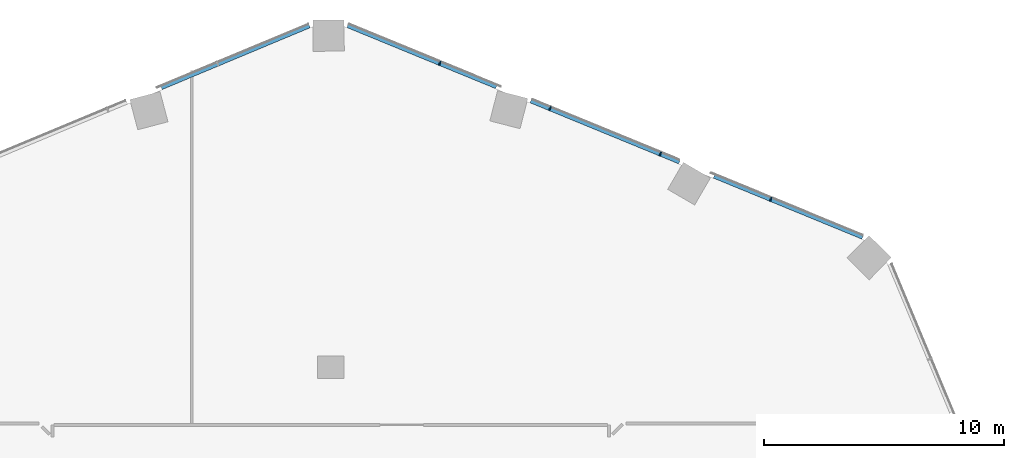
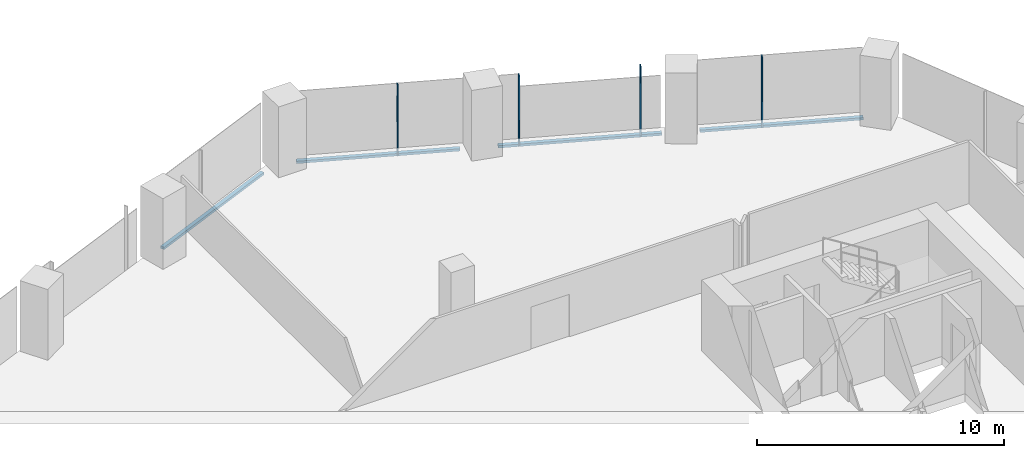
# One storey, part 13 of 35: 8 members, 2 elements without a shape of their own.
"""IFC4 building model written with IfcOpenShell, lengths in metres."""

from ifc_helpers import new_model, si_unit, direction, frame, origin, origin_2d, place, context, subcontext, project, spatial, rectangle, extrude, material, material_profile, profile_set, type_object, element, aggregate, save


model = new_model("IFC4")

# Units and contexts
model_context = context("Model", 3, precision=1e-05, world=origin(), true_north=direction((0.0, 1.0)))
body_context = subcontext(model_context, "Body", "Model", "MODEL_VIEW")
ifc_project = project(units=[si_unit("LENGTHUNIT", "METRE"), si_unit("AREAUNIT", "SQUARE_METRE"), si_unit("VOLUMEUNIT", "CUBIC_METRE"), si_unit("PLANEANGLEUNIT", "RADIAN"), si_unit("MASSUNIT", "GRAM", prefix="KILO")], contexts=[model_context])

# Site, building, storey
site_placement = place(None, origin())
site = spatial("IfcSite", under=ifc_project, at=site_placement, CompositionType="ELEMENT")
building_placement = place(site_placement, origin())
building = spatial("IfcBuilding", under=site, at=building_placement, Name="Orlundy Tower", CompositionType="ELEMENT")
storey_placement = place(building_placement, frame((0.0, 0.0, 116.199951171875)))
storey = spatial("IfcBuildingStorey", under=building, at=storey_placement, Name="L29", CompositionType="ELEMENT", Elevation=116.199951171875)

# Curtain wall, members
ifc_material_1 = material(Name="Aluminium bronze anodised", Category="aluminium")
curtain_wall_type = type_object("IfcCurtainWallType", Name="CW1 wall", PredefinedType="NOTDEFINED", material=ifc_material_1)
curtain_wall_1_placement = place(storey_placement, origin())
curtain_wall_1 = element("IfcCurtainWall", 1, at=curtain_wall_1_placement, inside=storey, type_object=curtain_wall_type, Name="CW1 run 016", PredefinedType="NOTDEFINED")
ifc_material_2 = material(Name="Aluminium bronze anodised", Category="aluminium")
ifc_material_profile_1 = material_profile(ifc_material_2, rectangle(XDim=0.179931640625, YDim=0.050048828125, at=origin_2d()), Name="CW1 mullion 50x180")
ifc_profile_set_1 = profile_set([ifc_material_profile_1], Name="Aluminium bronze anodised")
member_type_1 = type_object("IfcMemberType", Name="CW1 mullion 50x180", PredefinedType="MULLION", material=ifc_profile_set_1)
member_1_placement = place(storey_placement, frame((4.537841796875, 30.66650390625, -0.39990234375), z_axis=(0.0, 0.0, 1.0), x_axis=(0.380004927003, 0.924984462277, 0.0)))
member_1 = element("IfcMember", 2, at=member_1_placement, type_object=member_type_1, Name="CW1 mullion 45", PredefinedType="MULLION", context=body_context, shape_type="SweptSolid", body=[
    extrude(rectangle(XDim=0.179931640625, YDim=0.050048828125, at=origin_2d()), origin(), (0.0, 0.0, 1.0), 3.5),
])
member_2_placement = place(storey_placement, frame((9.135498046875, 28.777587890625, -0.39990234375), z_axis=(0.0, 0.0, 1.0), x_axis=(0.380004927003, 0.924984462277, 0.0)))
member_2 = element("IfcMember", 3, at=member_2_placement, type_object=member_type_1, Name="CW1 mullion 46", PredefinedType="MULLION", context=body_context, shape_type="SweptSolid", body=[
    extrude(rectangle(XDim=0.179931640625, YDim=0.050048828125, at=origin_2d()), origin(), (0.0, 0.0, 1.0), 3.5),
])
member_3_placement = place(storey_placement, frame((13.73291015625, 26.888916015625, -0.39990234375), z_axis=(0.0, 0.0, 1.0), x_axis=(0.380004927003, 0.924984462277, 0.0)))
member_3 = element("IfcMember", 4, at=member_3_placement, type_object=member_type_1, Name="CW1 mullion 47", PredefinedType="MULLION", context=body_context, shape_type="SweptSolid", body=[
    extrude(rectangle(XDim=0.179931640625, YDim=0.050048828125, at=origin_2d()), origin(), (0.0, 0.0, 1.0), 3.5),
])
member_4_placement = place(storey_placement, frame((18.33056640625, 25.0, -0.39990234375), z_axis=(0.0, 0.0, 1.0), x_axis=(0.380004927003, 0.924984462277, 0.0)))
member_4 = element("IfcMember", 5, at=member_4_placement, type_object=member_type_1, Name="CW1 mullion 48", PredefinedType="MULLION", context=body_context, shape_type="SweptSolid", body=[
    extrude(rectangle(XDim=0.179931640625, YDim=0.050048828125, at=origin_2d()), origin(), (0.0, 0.0, 1.0), 3.5),
])

# Curtain wall, member
curtain_wall_2_placement = place(storey_placement, origin())
curtain_wall_2 = element("IfcCurtainWall", 6, at=curtain_wall_2_placement, inside=storey, type_object=curtain_wall_type, Name="CW1 run 015", PredefinedType="NOTDEFINED")
ifc_material_3 = material(Name="Aluminium bronze anodised", Category="aluminium")
ifc_material_profile_2 = material_profile(ifc_material_3, rectangle(XDim=0.179931640625, YDim=0.1201171875, at=origin_2d()), Name="CW1 transom 180x120")
ifc_profile_set_2 = profile_set([ifc_material_profile_2], Name="Aluminium bronze anodised")
member_type_2 = type_object("IfcMemberType", Name="CW1 transom 180x120", PredefinedType="USERDEFINED", material=ifc_profile_set_2)
member_5_placement = place(storey_placement, frame((-7.062255859375, 29.659423828125, -0.33984375), z_axis=(0.922761073246, 0.385372549233, 0.0), x_axis=(-0.385372549233, 0.922761073246, 0.0)))
member_5 = element("IfcMember", 7, at=member_5_placement, type_object=member_type_2, Name="CW1 transom", ObjectType="TRANSOM", PredefinedType="USERDEFINED", context=body_context, shape_type="SweptSolid", body=[
    extrude(rectangle(XDim=0.179931640625, YDim=0.1201171875, at=origin_2d()), origin(), (0.0, 0.0, 1.0), 6.684326171875),
])
aggregate(curtain_wall_2, [member_5])

# Member
member_6_placement = place(storey_placement, frame((0.705810546875, 32.24072265625, -0.33984375), z_axis=(0.924984555997, -0.380004698875, 0.0), x_axis=(0.380004698875, 0.924984555997, 0.0)))
member_6 = element("IfcMember", 8, at=member_6_placement, type_object=member_type_2, Name="CW1 transom", ObjectType="TRANSOM", PredefinedType="USERDEFINED", context=body_context, shape_type="SweptSolid", body=[
    extrude(rectangle(XDim=0.179931640625, YDim=0.1201171875, at=origin_2d()), origin(), (0.0, 0.0, 1.0), 6.69189453125),
])

member_7_placement = place(storey_placement, frame((8.338134765625, 29.105224609375, -0.33984375), z_axis=(0.924985943317, -0.380001321927, 0.0), x_axis=(0.380001321927, 0.924985943317, 0.0)))
member_7 = element("IfcMember", 9, at=member_7_placement, type_object=member_type_2, Name="CW1 transom", ObjectType="TRANSOM", PredefinedType="USERDEFINED", context=body_context, shape_type="SweptSolid", body=[
    extrude(rectangle(XDim=0.179931640625, YDim=0.1201171875, at=origin_2d()), origin(), (0.0, 0.0, 1.0), 6.694580078125),
])

member_8_placement = place(storey_placement, frame((15.974853515625, 25.9677734375, -0.33984375), z_axis=(0.924985455705, -0.380002508853, 0.0), x_axis=(0.380002508853, 0.924985455705, 0.0)))
member_8 = element("IfcMember", 10, at=member_8_placement, type_object=member_type_2, Name="CW1 transom", ObjectType="TRANSOM", PredefinedType="USERDEFINED", context=body_context, shape_type="SweptSolid", body=[
    extrude(rectangle(XDim=0.179931640625, YDim=0.1201171875, at=origin_2d()), origin(), (0.0, 0.0, 1.0), 6.688720703125),
])

aggregate(curtain_wall_1, [member_1, member_2, member_3, member_4, member_6, member_7, member_8])

save(model, "model.ifc")
